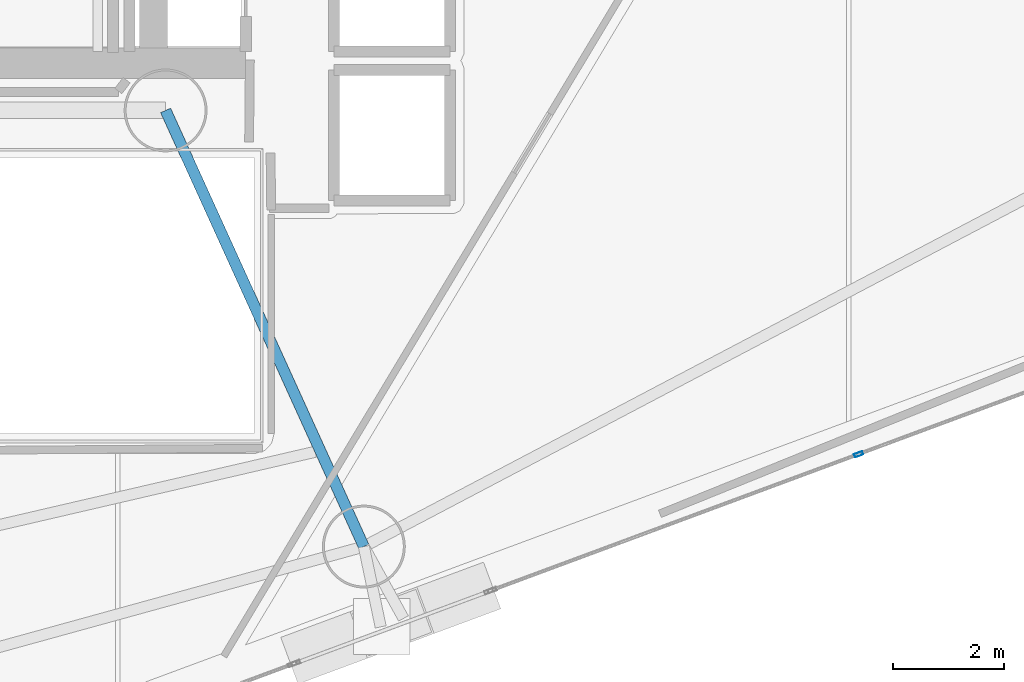
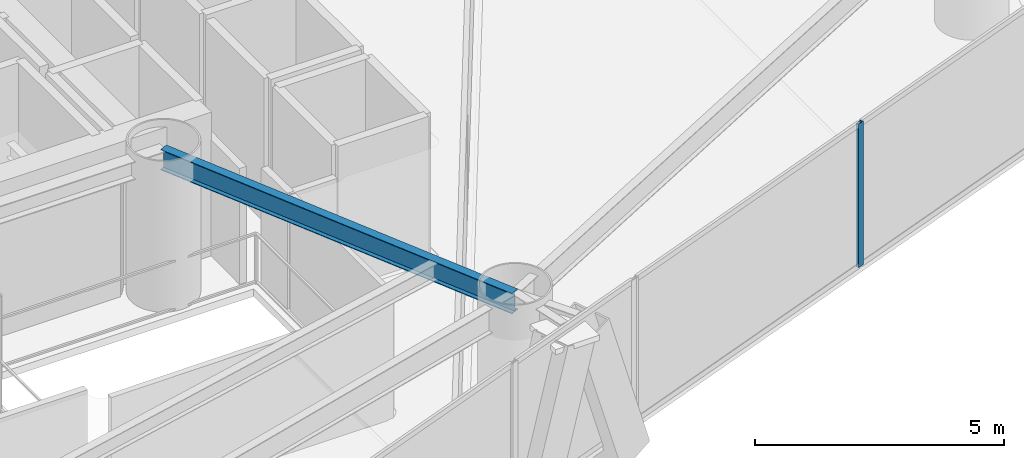
# One storey, part 5 of 21: 1 beam, 1 member, 1 element without a shape of its own.
"""IFC4 building model written with IfcOpenShell, lengths in metres."""

from ifc_helpers import new_model, si_unit, direction, frame, origin, origin_2d, place, context, subcontext, project, spatial, hollow_rectangle, i_section, extrude, material, layer, layer_set, material_profile, profile_set, type_object, element, aggregate, save


model = new_model("IFC4")

# Units and contexts
model_context = context("Model", 3, precision=1e-05, world=origin(), true_north=direction((0.0, 1.0)))
body_context = subcontext(model_context, "Body", "Model", "MODEL_VIEW")
ifc_project = project(units=[si_unit("LENGTHUNIT", "METRE"), si_unit("AREAUNIT", "SQUARE_METRE"), si_unit("VOLUMEUNIT", "CUBIC_METRE"), si_unit("PLANEANGLEUNIT", "RADIAN"), si_unit("MASSUNIT", "GRAM", prefix="KILO")], contexts=[model_context])

# Site, building, storey
site_placement = place(None, origin())
site = spatial("IfcSite", under=ifc_project, at=site_placement, CompositionType="ELEMENT")
building_placement = place(site_placement, origin())
building = spatial("IfcBuilding", under=site, at=building_placement, Name="Qianvela Tower", CompositionType="ELEMENT")
storey_placement = place(building_placement, frame((0.0, 0.0, 127.39990234375)))
storey = spatial("IfcBuildingStorey", under=building, at=storey_placement, Name="L32", CompositionType="ELEMENT", Elevation=127.39990234375)

# Beam
ifc_material_1 = material(Name="Steel Q355B", Category="steel")
ifc_material_profile_1 = material_profile(ifc_material_1, i_section(OverallWidth=0.199951171875, OverallDepth=0.5, WebThickness=0.010009765625, FlangeThickness=0.01611328125, at=origin_2d()), Name="HN500x200x10x16")
ifc_profile_set_1 = profile_set([ifc_material_profile_1], Name="Steel Q355B")
beam_type = type_object("IfcBeamType", Name="BM-HN500-GIRD", PredefinedType="BEAM", material=ifc_profile_set_1)
beam_placement = place(storey_placement, frame((38.39990234375, 23.85009765625, 3.26806640625), z_axis=(0.413839009437, -0.910350083357, 0.0), x_axis=(0.910350083357, 0.413839009437, 0.0)))
element("IfcBeam", 1, at=beam_placement, inside=storey, type_object=beam_type, Name="L32 Radial Primary Floor Girder 6", PredefinedType="BEAM", context=body_context, shape_type="SweptSolid", body=[
    extrude(i_section(OverallWidth=0.199951171875, OverallDepth=0.5, WebThickness=0.010009765625, FlangeThickness=0.01611328125, at=origin_2d()), origin(), (0.0, 0.0, 1.0), 8.67041015625),
])

# Curtain wall, member
ifc_material_2 = material(Name="Anodised Architectural Aluminium and Low-E Glass", Category="aluminium")
ifc_layer = layer(ifc_material_2, 0.169921875)
ifc_layer_set = layer_set([ifc_layer], Name="Anodised Architectural Aluminium and Low-E Glass")
curtain_wall_type = type_object("IfcCurtainWallType", Name="CW-COLIV-Z34", PredefinedType="USERDEFINED", material=ifc_layer_set)
curtain_wall_placement = place(storey_placement, origin())
curtain_wall = element("IfcCurtainWall", 2, at=curtain_wall_placement, inside=storey, type_object=curtain_wall_type, Name="L32 CW-COLIV-Z34 Curtain Wall 06C", ObjectType="CURTAIN_WALL_SYSTEM", PredefinedType="USERDEFINED")
ifc_material_3 = material(Name="Anodised Architectural Aluminium 6063-T6", Category="aluminium")
ifc_material_profile_2 = material_profile(ifc_material_3, hollow_rectangle(XDim=0.06494140625, YDim=0.159912109375, WallThickness=0.0048828125, at=origin_2d()), Name="ALU-MULL-65x160")
ifc_profile_set_2 = profile_set([ifc_material_profile_2], Name="Anodised Architectural Aluminium 6063-T6")
member_type = type_object("IfcMemberType", Name="CW-COLIV-Z34-MULL", PredefinedType="MULLION", material=ifc_profile_set_2)
member_placement = place(storey_placement, frame((50.942626953125, 17.62744140625, 0.0), z_axis=(0.0, 0.0, 1.0), x_axis=(-0.347802033927, 0.937567994972, 0.0)))
member = element("IfcMember", 3, at=member_placement, type_object=member_type, Name="CW-4 mullion 2", PredefinedType="MULLION", context=body_context, shape_type="SweptSolid", body=[
    extrude(hollow_rectangle(XDim=0.06494140625, YDim=0.159912109375, WallThickness=0.0048828125, at=origin_2d()), origin(), (0.0, 0.0, 1.0), 3.52001953125),
])
aggregate(curtain_wall, [member])

save(model, "model.ifc")
